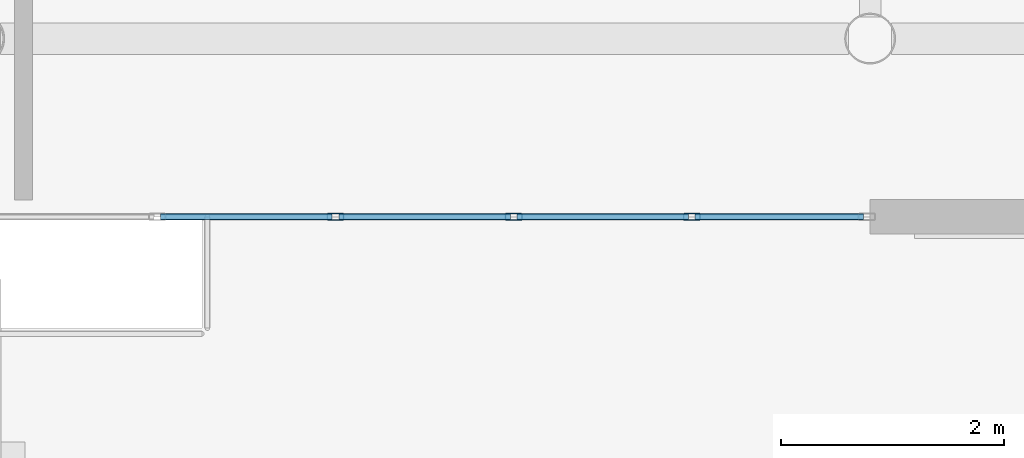
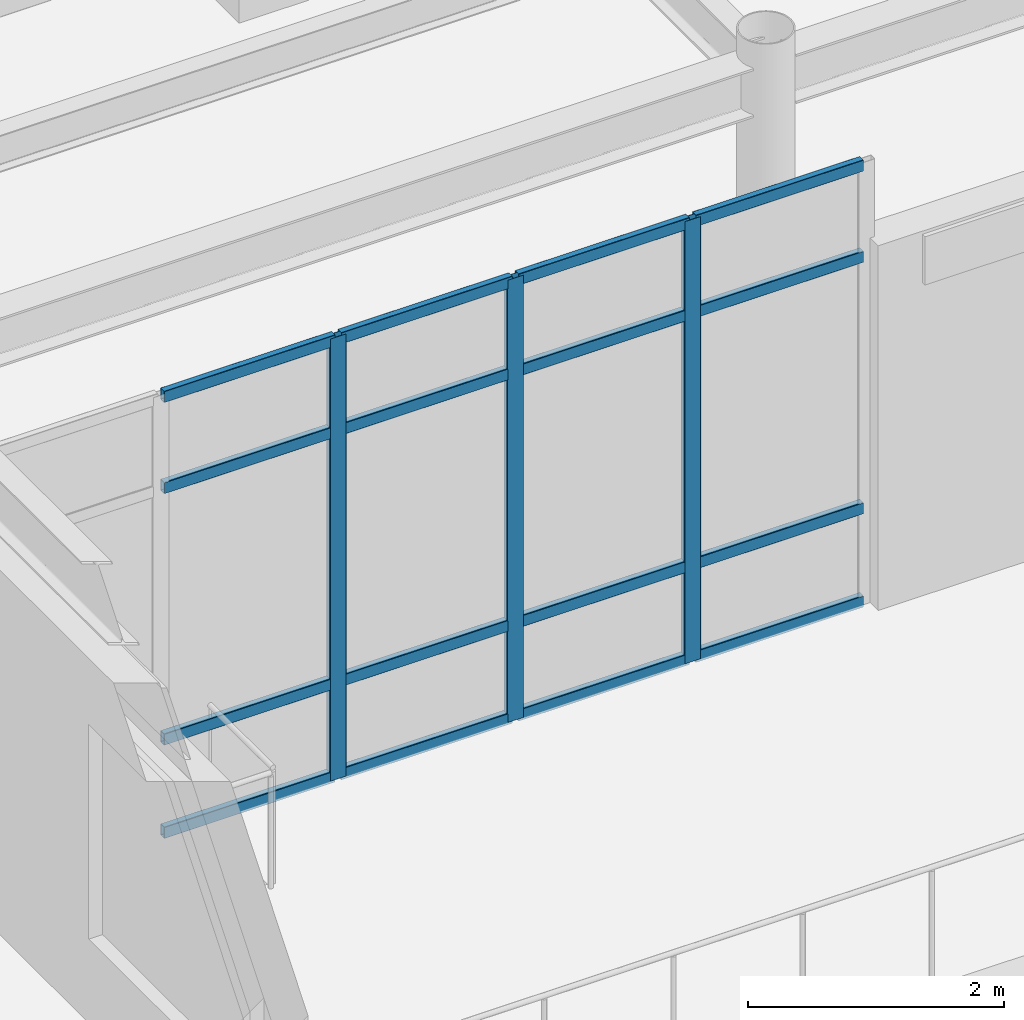
# One storey, part 45 of 93: 19 members, 1 element without a shape of its own.
"""IFC4 building model written with IfcOpenShell, lengths in metres."""

from ifc_helpers import new_model, si_unit, direction, frame, origin, origin_2d, place, context, subcontext, project, spatial, hollow_rectangle, extrude, material, material_profile, profile_set, type_object, element, aggregate, save


model = new_model("IFC4")

# Units and contexts
model_context = context("Model", 3, precision=1e-05, world=origin(), true_north=direction((0.0, 1.0)))
body_context = subcontext(model_context, "Body", "Model", "MODEL_VIEW")
ifc_project = project(units=[si_unit("LENGTHUNIT", "METRE"), si_unit("AREAUNIT", "SQUARE_METRE"), si_unit("VOLUMEUNIT", "CUBIC_METRE"), si_unit("PLANEANGLEUNIT", "RADIAN"), si_unit("MASSUNIT", "GRAM", prefix="KILO")], contexts=[model_context])

# Site, building, storey
site_placement = place(None, origin())
site = spatial("IfcSite", under=ifc_project, at=site_placement, CompositionType="ELEMENT")
building_placement = place(site_placement, origin())
building = spatial("IfcBuilding", under=site, at=building_placement, Name="Solmirada Galleria", CompositionType="ELEMENT")
storey_placement = place(building_placement, frame((0.0, 0.0, 14.89990234375)))
storey = spatial("IfcBuildingStorey", under=building, at=storey_placement, Name="L03", CompositionType="ELEMENT", Elevation=14.89990234375)

# Curtain wall, members
ifc_material_1 = material(Name="Impact-resistant low-E double glazing", Category="glass")
curtain_wall_type = type_object("IfcCurtainWallType", Name="CW-FZ4-L03-B5-L080", PredefinedType="NOTDEFINED", material=ifc_material_1)
curtain_wall_placement = place(storey_placement, origin())
curtain_wall = element("IfcCurtainWall", 1, at=curtain_wall_placement, inside=storey, type_object=curtain_wall_type, Name="Terrace and arcade storefront CW-L03-128", PredefinedType="NOTDEFINED")
ifc_material_2 = material(Name="Anodised aluminium framing", Category="aluminium")
ifc_material_profile_1 = material_profile(ifc_material_2, hollow_rectangle(XDim=0.06005859375, YDim=0.14990234375, WallThickness=0.00341796875, InnerFilletRadius=0.00341796875, OuterFilletRadius=0.007080078125, at=origin_2d()), Name="ALU-MULL-150X60")
ifc_profile_set_1 = profile_set([ifc_material_profile_1], Name="Anodised aluminium framing")
member_type_1 = type_object("IfcMemberType", Name="CW-MULL-150", PredefinedType="MULLION", material=ifc_profile_set_1)
member_1_placement = place(storey_placement, frame((102.39990234375, 86.39990234375, 0.0), z_axis=(0.0, 0.0, 1.0), x_axis=(0.0, -1.0, 0.0)))
member_1 = element("IfcMember", 2, at=member_1_placement, type_object=member_type_1, Name="CW28 mullion 2", PredefinedType="MULLION", context=body_context, shape_type="SweptSolid", body=[
    extrude(hollow_rectangle(XDim=0.06005859375, YDim=0.14990234375, WallThickness=0.00341796875, InnerFilletRadius=0.00341796875, OuterFilletRadius=0.007080078125, at=origin_2d()), origin(), (0.0, 0.0, 1.0), 4.22021484375),
])
member_2_placement = place(storey_placement, frame((100.800048828125, 86.39990234375, 0.0), z_axis=(0.0, 0.0, 1.0), x_axis=(0.0, -1.0, 0.0)))
member_2 = element("IfcMember", 3, at=member_2_placement, type_object=member_type_1, Name="CW28 mullion 3", PredefinedType="MULLION", context=body_context, shape_type="SweptSolid", body=[
    extrude(hollow_rectangle(XDim=0.06005859375, YDim=0.14990234375, WallThickness=0.00341796875, InnerFilletRadius=0.00341796875, OuterFilletRadius=0.007080078125, at=origin_2d()), origin(), (0.0, 0.0, 1.0), 4.22021484375),
])
member_3_placement = place(storey_placement, frame((99.199951171875, 86.39990234375, 0.0), z_axis=(0.0, 0.0, 1.0), x_axis=(0.0, -1.0, 0.0)))
member_3 = element("IfcMember", 4, at=member_3_placement, type_object=member_type_1, Name="CW28 mullion 4", PredefinedType="MULLION", context=body_context, shape_type="SweptSolid", body=[
    extrude(hollow_rectangle(XDim=0.06005859375, YDim=0.14990234375, WallThickness=0.00341796875, InnerFilletRadius=0.00341796875, OuterFilletRadius=0.007080078125, at=origin_2d()), origin(), (0.0, 0.0, 1.0), 4.22021484375),
])
ifc_material_profile_2 = material_profile(ifc_material_2, hollow_rectangle(XDim=0.06005859375, YDim=0.110107421875, WallThickness=0.003173828125, InnerFilletRadius=0.003173828125, OuterFilletRadius=0.00634765625, at=origin_2d()), Name="ALU-TRAN-110X60")
ifc_profile_set_2 = profile_set([ifc_material_profile_2], Name="Anodised aluminium framing")
member_type_2 = type_object("IfcMemberType", Name="CW-TRAN-110", PredefinedType="USERDEFINED", material=ifc_profile_set_2)
member_4_placement = place(storey_placement, frame((103.93994140625, 86.39990234375, 0.030029296875), z_axis=(-1.0, 0.0, 0.0), x_axis=(0.0, -1.0, 0.0)))
member_4 = element("IfcMember", 5, at=member_4_placement, type_object=member_type_2, Name="CW28 transom 1.1", ObjectType="TRANSOM", PredefinedType="USERDEFINED", context=body_context, shape_type="SweptSolid", body=[
    extrude(hollow_rectangle(XDim=0.06005859375, YDim=0.110107421875, WallThickness=0.003173828125, InnerFilletRadius=0.003173828125, OuterFilletRadius=0.00634765625, at=origin_2d()), origin(), (0.0, 0.0, 1.0), 1.510009765625),
])
member_5_placement = place(storey_placement, frame((103.93994140625, 86.39990234375, 0.920166015625), z_axis=(-1.0, 0.0, 0.0), x_axis=(0.0, -1.0, 0.0)))
member_5 = element("IfcMember", 6, at=member_5_placement, type_object=member_type_2, Name="CW28 transom 1.2", ObjectType="TRANSOM", PredefinedType="USERDEFINED", context=body_context, shape_type="SweptSolid", body=[
    extrude(hollow_rectangle(XDim=0.06005859375, YDim=0.110107421875, WallThickness=0.003173828125, InnerFilletRadius=0.003173828125, OuterFilletRadius=0.00634765625, at=origin_2d()), origin(), (0.0, 0.0, 1.0), 1.510009765625),
])
member_6_placement = place(storey_placement, frame((103.93994140625, 86.39990234375, 3.320068359375), z_axis=(-1.0, 0.0, 0.0), x_axis=(0.0, -1.0, 0.0)))
member_6 = element("IfcMember", 7, at=member_6_placement, type_object=member_type_2, Name="CW28 transom 1.3", ObjectType="TRANSOM", PredefinedType="USERDEFINED", context=body_context, shape_type="SweptSolid", body=[
    extrude(hollow_rectangle(XDim=0.06005859375, YDim=0.110107421875, WallThickness=0.003173828125, InnerFilletRadius=0.003173828125, OuterFilletRadius=0.00634765625, at=origin_2d()), origin(), (0.0, 0.0, 1.0), 1.510009765625),
])
member_7_placement = place(storey_placement, frame((103.93994140625, 86.39990234375, 4.190185546875), z_axis=(-1.0, 0.0, 0.0), x_axis=(0.0, -1.0, 0.0)))
member_7 = element("IfcMember", 8, at=member_7_placement, type_object=member_type_2, Name="CW28 transom 1.4", ObjectType="TRANSOM", PredefinedType="USERDEFINED", context=body_context, shape_type="SweptSolid", body=[
    extrude(hollow_rectangle(XDim=0.06005859375, YDim=0.110107421875, WallThickness=0.003173828125, InnerFilletRadius=0.003173828125, OuterFilletRadius=0.00634765625, at=origin_2d()), origin(), (0.0, 0.0, 1.0), 1.510009765625),
])
member_8_placement = place(storey_placement, frame((102.3701171875, 86.39990234375, 0.030029296875), z_axis=(-1.0, 0.0, 0.0), x_axis=(0.0, -1.0, 0.0)))
member_8 = element("IfcMember", 9, at=member_8_placement, type_object=member_type_2, Name="CW28 transom 2.1", ObjectType="TRANSOM", PredefinedType="USERDEFINED", context=body_context, shape_type="SweptSolid", body=[
    extrude(hollow_rectangle(XDim=0.06005859375, YDim=0.110107421875, WallThickness=0.003173828125, InnerFilletRadius=0.003173828125, OuterFilletRadius=0.00634765625, at=origin_2d()), origin(), (0.0, 0.0, 1.0), 1.5400390625),
])
member_9_placement = place(storey_placement, frame((102.3701171875, 86.39990234375, 0.920166015625), z_axis=(-1.0, 0.0, 0.0), x_axis=(0.0, -1.0, 0.0)))
member_9 = element("IfcMember", 10, at=member_9_placement, type_object=member_type_2, Name="CW28 transom 2.2", ObjectType="TRANSOM", PredefinedType="USERDEFINED", context=body_context, shape_type="SweptSolid", body=[
    extrude(hollow_rectangle(XDim=0.06005859375, YDim=0.110107421875, WallThickness=0.003173828125, InnerFilletRadius=0.003173828125, OuterFilletRadius=0.00634765625, at=origin_2d()), origin(), (0.0, 0.0, 1.0), 1.5400390625),
])
member_10_placement = place(storey_placement, frame((102.3701171875, 86.39990234375, 3.320068359375), z_axis=(-1.0, 0.0, 0.0), x_axis=(0.0, -1.0, 0.0)))
member_10 = element("IfcMember", 11, at=member_10_placement, type_object=member_type_2, Name="CW28 transom 2.3", ObjectType="TRANSOM", PredefinedType="USERDEFINED", context=body_context, shape_type="SweptSolid", body=[
    extrude(hollow_rectangle(XDim=0.06005859375, YDim=0.110107421875, WallThickness=0.003173828125, InnerFilletRadius=0.003173828125, OuterFilletRadius=0.00634765625, at=origin_2d()), origin(), (0.0, 0.0, 1.0), 1.5400390625),
])
member_11_placement = place(storey_placement, frame((102.3701171875, 86.39990234375, 4.190185546875), z_axis=(-1.0, 0.0, 0.0), x_axis=(0.0, -1.0, 0.0)))
member_11 = element("IfcMember", 12, at=member_11_placement, type_object=member_type_2, Name="CW28 transom 2.4", ObjectType="TRANSOM", PredefinedType="USERDEFINED", context=body_context, shape_type="SweptSolid", body=[
    extrude(hollow_rectangle(XDim=0.06005859375, YDim=0.110107421875, WallThickness=0.003173828125, InnerFilletRadius=0.003173828125, OuterFilletRadius=0.00634765625, at=origin_2d()), origin(), (0.0, 0.0, 1.0), 1.5400390625),
])
member_12_placement = place(storey_placement, frame((100.77001953125, 86.39990234375, 0.030029296875), z_axis=(-1.0, 0.0, 0.0), x_axis=(0.0, -1.0, 0.0)))
member_12 = element("IfcMember", 13, at=member_12_placement, type_object=member_type_2, Name="CW28 transom 3.1", ObjectType="TRANSOM", PredefinedType="USERDEFINED", context=body_context, shape_type="SweptSolid", body=[
    extrude(hollow_rectangle(XDim=0.06005859375, YDim=0.110107421875, WallThickness=0.003173828125, InnerFilletRadius=0.003173828125, OuterFilletRadius=0.00634765625, at=origin_2d()), origin(), (0.0, 0.0, 1.0), 1.5400390625),
])
member_13_placement = place(storey_placement, frame((100.77001953125, 86.39990234375, 0.920166015625), z_axis=(-1.0, 0.0, 0.0), x_axis=(0.0, -1.0, 0.0)))
member_13 = element("IfcMember", 14, at=member_13_placement, type_object=member_type_2, Name="CW28 transom 3.2", ObjectType="TRANSOM", PredefinedType="USERDEFINED", context=body_context, shape_type="SweptSolid", body=[
    extrude(hollow_rectangle(XDim=0.06005859375, YDim=0.110107421875, WallThickness=0.003173828125, InnerFilletRadius=0.003173828125, OuterFilletRadius=0.00634765625, at=origin_2d()), origin(), (0.0, 0.0, 1.0), 1.5400390625),
])
member_14_placement = place(storey_placement, frame((100.77001953125, 86.39990234375, 3.320068359375), z_axis=(-1.0, 0.0, 0.0), x_axis=(0.0, -1.0, 0.0)))
member_14 = element("IfcMember", 15, at=member_14_placement, type_object=member_type_2, Name="CW28 transom 3.3", ObjectType="TRANSOM", PredefinedType="USERDEFINED", context=body_context, shape_type="SweptSolid", body=[
    extrude(hollow_rectangle(XDim=0.06005859375, YDim=0.110107421875, WallThickness=0.003173828125, InnerFilletRadius=0.003173828125, OuterFilletRadius=0.00634765625, at=origin_2d()), origin(), (0.0, 0.0, 1.0), 1.5400390625),
])
member_15_placement = place(storey_placement, frame((100.77001953125, 86.39990234375, 4.190185546875), z_axis=(-1.0, 0.0, 0.0), x_axis=(0.0, -1.0, 0.0)))
member_15 = element("IfcMember", 16, at=member_15_placement, type_object=member_type_2, Name="CW28 transom 3.4", ObjectType="TRANSOM", PredefinedType="USERDEFINED", context=body_context, shape_type="SweptSolid", body=[
    extrude(hollow_rectangle(XDim=0.06005859375, YDim=0.110107421875, WallThickness=0.003173828125, InnerFilletRadius=0.003173828125, OuterFilletRadius=0.00634765625, at=origin_2d()), origin(), (0.0, 0.0, 1.0), 1.5400390625),
])
member_16_placement = place(storey_placement, frame((99.169921875, 86.39990234375, 0.030029296875), z_axis=(-1.0, 0.0, 0.0), x_axis=(0.0, -1.0, 0.0)))
member_16 = element("IfcMember", 17, at=member_16_placement, type_object=member_type_2, Name="CW28 transom 4.1", ObjectType="TRANSOM", PredefinedType="USERDEFINED", context=body_context, shape_type="SweptSolid", body=[
    extrude(hollow_rectangle(XDim=0.06005859375, YDim=0.110107421875, WallThickness=0.003173828125, InnerFilletRadius=0.003173828125, OuterFilletRadius=0.00634765625, at=origin_2d()), origin(), (0.0, 0.0, 1.0), 1.5400390625),
])
member_17_placement = place(storey_placement, frame((99.169921875, 86.39990234375, 0.920166015625), z_axis=(-1.0, 0.0, 0.0), x_axis=(0.0, -1.0, 0.0)))
member_17 = element("IfcMember", 18, at=member_17_placement, type_object=member_type_2, Name="CW28 transom 4.2", ObjectType="TRANSOM", PredefinedType="USERDEFINED", context=body_context, shape_type="SweptSolid", body=[
    extrude(hollow_rectangle(XDim=0.06005859375, YDim=0.110107421875, WallThickness=0.003173828125, InnerFilletRadius=0.003173828125, OuterFilletRadius=0.00634765625, at=origin_2d()), origin(), (0.0, 0.0, 1.0), 1.5400390625),
])
member_18_placement = place(storey_placement, frame((99.169921875, 86.39990234375, 3.320068359375), z_axis=(-1.0, 0.0, 0.0), x_axis=(0.0, -1.0, 0.0)))
member_18 = element("IfcMember", 19, at=member_18_placement, type_object=member_type_2, Name="CW28 transom 4.3", ObjectType="TRANSOM", PredefinedType="USERDEFINED", context=body_context, shape_type="SweptSolid", body=[
    extrude(hollow_rectangle(XDim=0.06005859375, YDim=0.110107421875, WallThickness=0.003173828125, InnerFilletRadius=0.003173828125, OuterFilletRadius=0.00634765625, at=origin_2d()), origin(), (0.0, 0.0, 1.0), 1.5400390625),
])
member_19_placement = place(storey_placement, frame((99.169921875, 86.39990234375, 4.190185546875), z_axis=(-1.0, 0.0, 0.0), x_axis=(0.0, -1.0, 0.0)))
member_19 = element("IfcMember", 20, at=member_19_placement, type_object=member_type_2, Name="CW28 transom 4.4", ObjectType="TRANSOM", PredefinedType="USERDEFINED", context=body_context, shape_type="SweptSolid", body=[
    extrude(hollow_rectangle(XDim=0.06005859375, YDim=0.110107421875, WallThickness=0.003173828125, InnerFilletRadius=0.003173828125, OuterFilletRadius=0.00634765625, at=origin_2d()), origin(), (0.0, 0.0, 1.0), 1.5400390625),
])
aggregate(curtain_wall, [member_1, member_2, member_3, member_4, member_5, member_6, member_7, member_8, member_9, member_10, member_11, member_12, member_13, member_14, member_15, member_16, member_17, member_18, member_19])

save(model, "model.ifc")
